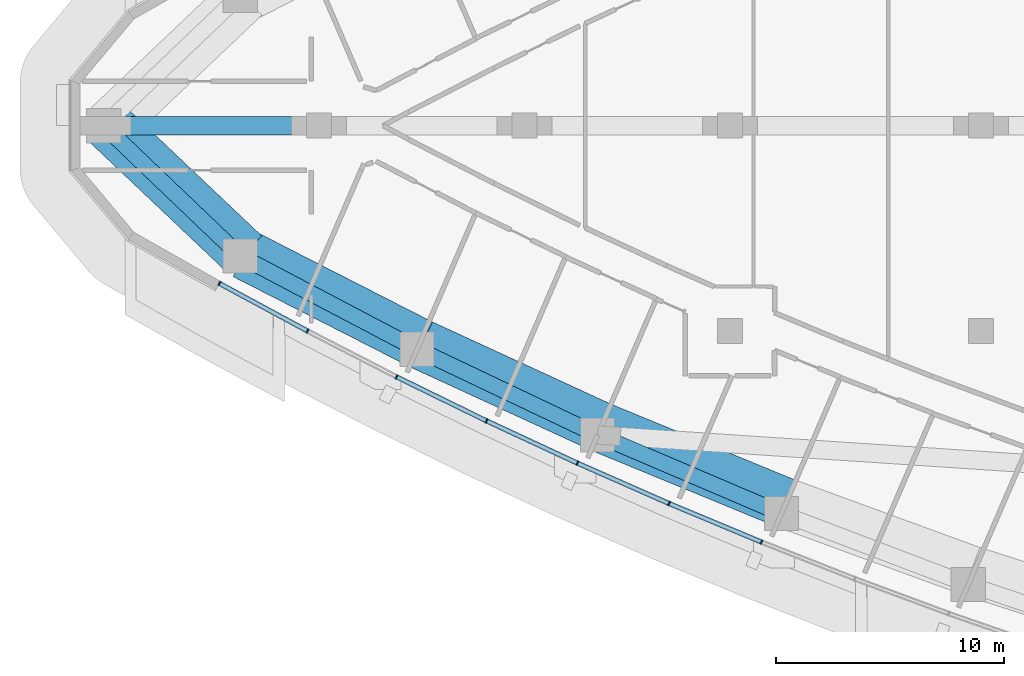
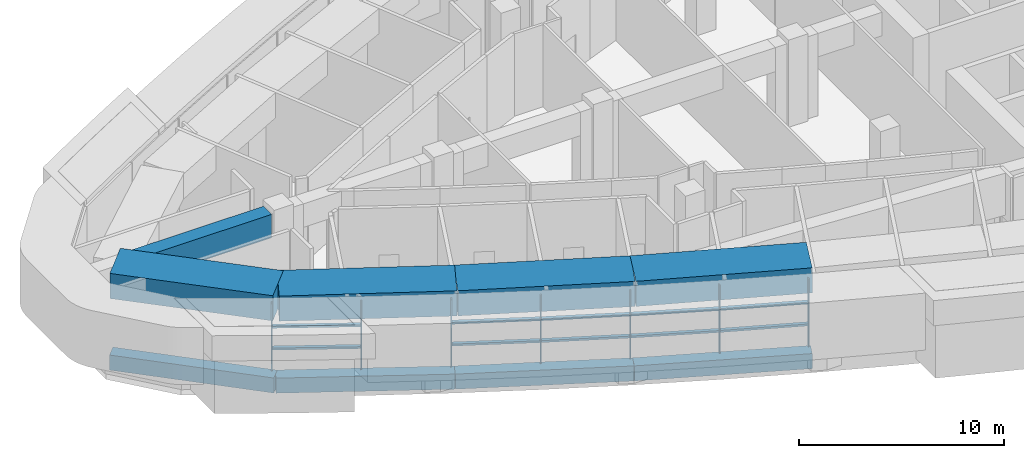
# One storey, part 2 of 18: 17 members, 9 beams, 3 elements without a shape of their own.
"""IFC4 building model written with IfcOpenShell, lengths in metres."""

from ifc_helpers import new_model, si_unit, direction, frame, origin, origin_2d, place, context, subcontext, project, spatial, rectangle, extrude, material, layer, layer_set, material_profile, profile_set, type_object, element, aggregate, save


model = new_model("IFC4")

# Units and contexts
model_context = context("Model", 3, precision=1e-05, world=origin(), true_north=direction((0.0, 1.0)))
body_context = subcontext(model_context, "Body", "Model", "MODEL_VIEW")
ifc_project = project(units=[si_unit("LENGTHUNIT", "METRE"), si_unit("AREAUNIT", "SQUARE_METRE"), si_unit("VOLUMEUNIT", "CUBIC_METRE"), si_unit("PLANEANGLEUNIT", "RADIAN"), si_unit("MASSUNIT", "GRAM", prefix="KILO")], contexts=[model_context])

# Site, building, storey
site_placement = place(None, origin())
site = spatial("IfcSite", under=ifc_project, at=site_placement, CompositionType="ELEMENT")
building_placement = place(site_placement, origin())
building = spatial("IfcBuilding", under=site, at=building_placement, Name="Ostrand Prow Hotel Tower", CompositionType="ELEMENT")
storey_placement = place(building_placement, frame((0.0, 0.0, 165.699951171875)))
storey = spatial("IfcBuildingStorey", under=building, at=storey_placement, Name="L41", CompositionType="ELEMENT", Elevation=165.699951171875)

# Beams
ifc_material_1 = material(Name="Concrete C70/85", Category="concrete")
ifc_material_profile_1 = material_profile(ifc_material_1, rectangle(XDim=2.199951171875, YDim=1.5, at=origin_2d()), Name="RC 2200x1500")
ifc_profile_set_1 = profile_set([ifc_material_profile_1], Name="Concrete C70/85")
beam_type_1 = type_object("IfcBeamType", Name="Belt girder 2200x1500 C70/85", PredefinedType="BEAM", material=ifc_profile_set_1)
beam_1_placement = place(storey_placement, frame((6.798583984375, 0.0, 4.150146484375), z_axis=(0.725803004047, -0.687902608889, 0.0), x_axis=(0.687902608889, 0.725803004047, 0.0)))
element("IfcBeam", 1, at=beam_1_placement, inside=storey, type_object=beam_type_1, Name="Belt girder P-S1", PredefinedType="BEAM", context=body_context, shape_type="SweptSolid", body=[
    extrude(rectangle(XDim=2.199951171875, YDim=1.5, at=origin_2d()), origin(), (0.0, 0.0, 1.0), 8.187255859375),
])
beam_2_placement = place(storey_placement, frame((12.740966796875, -5.632080078125, 4.150146484375), z_axis=(0.890726573441, -0.454539515737, 0.0), x_axis=(0.454539515737, 0.890726573441, 0.0)))
element("IfcBeam", 2, at=beam_2_placement, inside=storey, type_object=beam_type_1, Name="Belt girder S1-S2", PredefinedType="BEAM", context=body_context, shape_type="SweptSolid", body=[
    extrude(rectangle(XDim=2.199951171875, YDim=1.5, at=origin_2d()), origin(), (0.0, 0.0, 1.0), 8.686767578125),
])
beam_3_placement = place(storey_placement, frame((20.478515625, -9.58056640625, 4.150146484375), z_axis=(0.908400590307, -0.418100905918, 0.0), x_axis=(0.418100905918, 0.908400590307, 0.0)))
element("IfcBeam", 3, at=beam_3_placement, inside=storey, type_object=beam_type_1, Name="Belt girder S2-S3", PredefinedType="BEAM", context=body_context, shape_type="SweptSolid", body=[
    extrude(rectangle(XDim=2.199951171875, YDim=1.5, at=origin_2d()), origin(), (0.0, 0.0, 1.0), 8.68701171875),
])
beam_4_placement = place(storey_placement, frame((28.369873046875, -13.212646484375, 4.150146484375), z_axis=(0.92457736963, -0.380994340599, 0.0), x_axis=(0.380994340599, 0.92457736963, 0.0)))
element("IfcBeam", 4, at=beam_4_placement, inside=storey, type_object=beam_type_1, Name="Belt girder S3-S4", PredefinedType="BEAM", context=body_context, shape_type="SweptSolid", body=[
    extrude(rectangle(XDim=2.199951171875, YDim=1.5, at=origin_2d()), origin(), (0.0, 0.0, 1.0), 8.686767578125),
])
ifc_material_2 = material(Name="Concrete C70/85", Category="concrete")
ifc_material_profile_2 = material_profile(ifc_material_2, rectangle(XDim=0.699951171875, YDim=0.89990234375, at=origin_2d()), Name="RC 700x900")
ifc_profile_set_2 = profile_set([ifc_material_profile_2], Name="Concrete C70/85")
beam_type_2 = type_object("IfcBeamType", Name="Edge beam 700x900 C70/85", PredefinedType="SPANDREL", material=ifc_profile_set_2)
beam_5_placement = place(storey_placement, frame((6.580078125, 0.0, -0.849853515625), z_axis=(0.722689968521, -0.691172344209, 0.0), x_axis=(0.691172344209, 0.722689968521, 0.0)))
element("IfcBeam", 5, at=beam_5_placement, inside=storey, type_object=beam_type_2, Name="Edge beam P-S1", PredefinedType="SPANDREL", context=body_context, shape_type="SweptSolid", body=[
    extrude(rectangle(XDim=0.699951171875, YDim=0.89990234375, at=origin_2d()), origin(), (0.0, 0.0, 1.0), 8.26513671875),
])
for number, where, z_axis, x_axis, name in (
    (6, (12.55322265625, -5.712646484375, -0.849853515625), (0.885016215308, -0.465560198731, 0.0), (0.465560198731, 0.885016215308, 0.0), "Edge beam S1-S2"),
    (7, (20.300048828125, -9.787841796875, -0.849853515625), (0.903083113352, -0.429465819803, 0.0), (0.429465819803, 0.903083113352, 0.0), "Edge beam S2-S3"),
    (8, (28.205078125, -13.547119140625, -0.849853515625), (0.919700966994, -0.392619575811, 0.0), (0.392619575811, 0.919700966994, 0.0), "Edge beam S3-S4"),
):
    element("IfcBeam", number, at=place(storey_placement, frame(where, z_axis=z_axis, x_axis=x_axis)), inside=storey, type_object=beam_type_2, Name=name, PredefinedType="SPANDREL", context=body_context, shape_type="SweptSolid", body=[
        extrude(rectangle(XDim=0.699951171875, YDim=0.89990234375, at=origin_2d()), origin(), (0.0, 0.0, 1.0), 8.75341796875),
    ])

# Curtain wall, members
ifc_material_3 = material(Name="Insulated glass in bronze anodised frame", Category="glass")
ifc_layer = layer(ifc_material_3, 0.199951171875)
ifc_layer_set = layer_set([ifc_layer], Name="Insulated glass in bronze anodised frame")
curtain_wall_type = type_object("IfcCurtainWallType", Name="Plant storey louvre wall", PredefinedType="NOTDEFINED", material=ifc_layer_set)
curtain_wall_1_placement = place(storey_placement, origin())
curtain_wall_1 = element("IfcCurtainWall", 9, at=curtain_wall_1_placement, inside=storey, type_object=curtain_wall_type, Name="CW7 run CWS1", PredefinedType="NOTDEFINED")
ifc_material_4 = material(Name="Bronze anodised aluminium", Category="aluminium")
ifc_material_profile_3 = material_profile(ifc_material_4, rectangle(XDim=0.199951171875, YDim=0.06005859375, at=origin_2d()), Name="Mullion 60x200 bronze anodised aluminium")
ifc_profile_set_3 = profile_set([ifc_material_profile_3], Name="Bronze anodised aluminium")
member_type_1 = type_object("IfcMemberType", Name="Mullion 60x200 bronze anodised aluminium", PredefinedType="MULLION", material=ifc_profile_set_3)
member_1_placement = place(storey_placement, frame((11.64306640625, -6.909423828125, 0.900146484375), z_axis=(0.0, 0.0, 1.0), x_axis=(0.475393901316, 0.879773060847, 0.0)))
member_1 = element("IfcMember", 10, at=member_1_placement, type_object=member_type_1, Name="CW7 mullion 1", PredefinedType="MULLION", context=body_context, shape_type="SweptSolid", body=[
    extrude(rectangle(XDim=0.199951171875, YDim=0.06005859375, at=origin_2d()), origin(), (0.0, 0.0, 1.0), 4.0),
])
member_2_placement = place(storey_placement, frame((15.501708984375, -8.99462890625, 0.900146484375), z_axis=(0.0, 0.0, 1.0), x_axis=(0.457619429434, 0.889148164146, 0.0)))
member_2 = element("IfcMember", 11, at=member_2_placement, type_object=member_type_1, Name="CW7 mullion 2", PredefinedType="MULLION", context=body_context, shape_type="SweptSolid", body=[
    extrude(rectangle(XDim=0.199951171875, YDim=0.06005859375, at=origin_2d()), origin(), (0.0, 0.0, 1.0), 4.0),
])
member_3_placement = place(storey_placement, frame((19.401611328125, -11.001708984375, 0.900146484375), z_axis=(0.0, 0.0, 1.0), x_axis=(0.457619429434, 0.889148164146, 0.0)))
member_3 = element("IfcMember", 12, at=member_3_placement, type_object=member_type_1, Name="CW7 mullion 3", PredefinedType="MULLION", context=body_context, shape_type="SweptSolid", body=[
    extrude(rectangle(XDim=0.199951171875, YDim=0.06005859375, at=origin_2d()), origin(), (0.0, 0.0, 1.0), 4.0),
])

curtain_wall_2_placement = place(storey_placement, origin())
curtain_wall_2 = element("IfcCurtainWall", 13, at=curtain_wall_2_placement, inside=storey, type_object=curtain_wall_type, Name="CW7 run CWS2", PredefinedType="NOTDEFINED")
member_4_placement = place(storey_placement, frame((23.341064453125, -12.93017578125, 0.900146484375), z_axis=(0.0, 0.0, 1.0), x_axis=(0.421521761673, 0.906818286337, 0.0)))
member_4 = element("IfcMember", 14, at=member_4_placement, type_object=member_type_1, Name="CW7 mullion 2", PredefinedType="MULLION", context=body_context, shape_type="SweptSolid", body=[
    extrude(rectangle(XDim=0.199951171875, YDim=0.06005859375, at=origin_2d()), origin(), (0.0, 0.0, 1.0), 4.0),
])
member_5_placement = place(storey_placement, frame((27.318359375, -14.77880859375, 0.900146484375), z_axis=(0.0, 0.0, 1.0), x_axis=(0.421521761673, 0.906818286337, 0.0)))
member_5 = element("IfcMember", 15, at=member_5_placement, type_object=member_type_1, Name="CW7 mullion 3", PredefinedType="MULLION", context=body_context, shape_type="SweptSolid", body=[
    extrude(rectangle(XDim=0.199951171875, YDim=0.06005859375, at=origin_2d()), origin(), (0.0, 0.0, 1.0), 4.0),
])

curtain_wall_3_placement = place(storey_placement, origin())
curtain_wall_3 = element("IfcCurtainWall", 16, at=curtain_wall_3_placement, inside=storey, type_object=curtain_wall_type, Name="CW7 run CWS3", PredefinedType="NOTDEFINED")
member_6_placement = place(storey_placement, frame((31.332275390625, -16.54736328125, 0.900146484375), z_axis=(0.0, 0.0, 1.0), x_axis=(0.384743220418, 0.92302364777, 0.0)))
member_6 = element("IfcMember", 17, at=member_6_placement, type_object=member_type_1, Name="CW7 mullion 2", PredefinedType="MULLION", context=body_context, shape_type="SweptSolid", body=[
    extrude(rectangle(XDim=0.199951171875, YDim=0.06005859375, at=origin_2d()), origin(), (0.0, 0.0, 1.0), 4.0),
])
member_7_placement = place(storey_placement, frame((35.380615234375, -18.235107421875, 0.900146484375), z_axis=(0.0, 0.0, 1.0), x_axis=(0.384743220418, 0.92302364777, 0.0)))
member_7 = element("IfcMember", 18, at=member_7_placement, type_object=member_type_1, Name="CW7 mullion 3", PredefinedType="MULLION", context=body_context, shape_type="SweptSolid", body=[
    extrude(rectangle(XDim=0.199951171875, YDim=0.06005859375, at=origin_2d()), origin(), (0.0, 0.0, 1.0), 4.0),
])

# Beam
ifc_material_5 = material(Name="Concrete C70/85", Category="concrete")
ifc_material_profile_4 = material_profile(ifc_material_5, rectangle(XDim=0.800048828125, YDim=1.39990234375, at=origin_2d()), Name="RC 800x1400")
ifc_profile_set_4 = profile_set([ifc_material_profile_4], Name="Concrete C70/85")
beam_type_3 = type_object("IfcBeamType", Name="Outrigger lintel 800x1400 C70/85", PredefinedType="LINTEL", material=ifc_profile_set_4)
beam_6_placement = place(storey_placement, frame((7.18017578125, 0.0, 4.199951171875), z_axis=(1.0, 0.0, 0.0), x_axis=(0.0, 1.0, 0.0)))
element("IfcBeam", 19, at=beam_6_placement, inside=storey, type_object=beam_type_3, Name="Outrigger lintel A1", PredefinedType="LINTEL", context=body_context, shape_type="SweptSolid", body=[
    extrude(rectangle(XDim=0.800048828125, YDim=1.39990234375, at=origin_2d()), origin(), (0.0, 0.0, 1.0), 8.2197265625),
])

# Member
ifc_material_6 = material(Name="Bronze anodised aluminium", Category="aluminium")
ifc_material_profile_5 = material_profile(ifc_material_6, rectangle(XDim=0.199951171875, YDim=0.1201171875, at=origin_2d()), Name="Transom 120x200 bronze anodised aluminium")
ifc_profile_set_5 = profile_set([ifc_material_profile_5], Name="Bronze anodised aluminium")
member_type_2 = type_object("IfcMemberType", Name="Transom 120x200 bronze anodised aluminium", PredefinedType="USERDEFINED", material=ifc_profile_set_5)
member_8_placement = place(storey_placement, frame((11.66943359375, -6.923583984375, 2.199951171875), z_axis=(0.879765206929, -0.475408435639, 0.0), x_axis=(0.475408435639, 0.879765206929, 0.0)))
member_8 = element("IfcMember", 20, at=member_8_placement, type_object=member_type_2, Name="CW7 transom 1.1", ObjectType="TRANSOM", PredefinedType="USERDEFINED", context=body_context, shape_type="SweptSolid", body=[
    extrude(rectangle(XDim=0.199951171875, YDim=0.1201171875, at=origin_2d()), origin(), (0.0, 0.0, 1.0), 4.326171875),
])

member_9_placement = place(storey_placement, frame((11.66943359375, -6.923583984375, 3.5), z_axis=(0.879765206929, -0.475408435639, 0.0), x_axis=(0.475408435639, 0.879765206929, 0.0)))
member_9 = element("IfcMember", 21, at=member_9_placement, type_object=member_type_2, Name="CW7 transom 1.2", ObjectType="TRANSOM", PredefinedType="USERDEFINED", context=body_context, shape_type="SweptSolid", body=[
    extrude(rectangle(XDim=0.199951171875, YDim=0.1201171875, at=origin_2d()), origin(), (0.0, 0.0, 1.0), 4.326171875),
])

aggregate(curtain_wall_1, [member_1, member_2, member_3, member_8, member_9])

member_10_placement = place(storey_placement, frame((19.4287109375, -11.014892578125, 2.199951171875), z_axis=(0.89815413626, -0.439680733623, 0.0), x_axis=(0.439680733623, 0.89815413626, 0.0)))
member_10 = element("IfcMember", 22, at=member_10_placement, type_object=member_type_2, Name="CW7 transom 1.1", ObjectType="TRANSOM", PredefinedType="USERDEFINED", context=body_context, shape_type="SweptSolid", body=[
    extrude(rectangle(XDim=0.199951171875, YDim=0.1201171875, at=origin_2d()), origin(), (0.0, 0.0, 1.0), 4.326171875),
])

member_11_placement = place(storey_placement, frame((19.4287109375, -11.014892578125, 3.5), z_axis=(0.89815413626, -0.439680733623, 0.0), x_axis=(0.439680733623, 0.89815413626, 0.0)))
member_11 = element("IfcMember", 23, at=member_11_placement, type_object=member_type_2, Name="CW7 transom 1.2", ObjectType="TRANSOM", PredefinedType="USERDEFINED", context=body_context, shape_type="SweptSolid", body=[
    extrude(rectangle(XDim=0.199951171875, YDim=0.1201171875, at=origin_2d()), origin(), (0.0, 0.0, 1.0), 4.326171875),
])

member_12_placement = place(storey_placement, frame((23.368408203125, -12.942626953125, 2.199951171875), z_axis=(0.906796377468, -0.421568890944, 0.0), x_axis=(0.421568890944, 0.906796377468, 0.0)))
member_12 = element("IfcMember", 24, at=member_12_placement, type_object=member_type_2, Name="CW7 transom 2.1", ObjectType="TRANSOM", PredefinedType="USERDEFINED", context=body_context, shape_type="SweptSolid", body=[
    extrude(rectangle(XDim=0.199951171875, YDim=0.1201171875, at=origin_2d()), origin(), (0.0, 0.0, 1.0), 4.326171875),
])

member_13_placement = place(storey_placement, frame((23.368408203125, -12.942626953125, 3.5), z_axis=(0.906796377468, -0.421568890944, 0.0), x_axis=(0.421568890944, 0.906796377468, 0.0)))
member_13 = element("IfcMember", 25, at=member_13_placement, type_object=member_type_2, Name="CW7 transom 2.2", ObjectType="TRANSOM", PredefinedType="USERDEFINED", context=body_context, shape_type="SweptSolid", body=[
    extrude(rectangle(XDim=0.199951171875, YDim=0.1201171875, at=origin_2d()), origin(), (0.0, 0.0, 1.0), 4.326171875),
])

aggregate(curtain_wall_2, [member_4, member_5, member_10, member_11, member_12, member_13])

member_14_placement = place(storey_placement, frame((27.345947265625, -14.791015625, 2.199951171875), z_axis=(0.91509853977, -0.403230284715, 0.0), x_axis=(0.403230284715, 0.91509853977, 0.0)))
member_14 = element("IfcMember", 26, at=member_14_placement, type_object=member_type_2, Name="CW7 transom 1.1", ObjectType="TRANSOM", PredefinedType="USERDEFINED", context=body_context, shape_type="SweptSolid", body=[
    extrude(rectangle(XDim=0.199951171875, YDim=0.1201171875, at=origin_2d()), origin(), (0.0, 0.0, 1.0), 4.325927734375),
])

member_15_placement = place(storey_placement, frame((27.345947265625, -14.791015625, 3.5), z_axis=(0.91509853977, -0.403230284715, 0.0), x_axis=(0.403230284715, 0.91509853977, 0.0)))
member_15 = element("IfcMember", 27, at=member_15_placement, type_object=member_type_2, Name="CW7 transom 1.2", ObjectType="TRANSOM", PredefinedType="USERDEFINED", context=body_context, shape_type="SweptSolid", body=[
    extrude(rectangle(XDim=0.199951171875, YDim=0.1201171875, at=origin_2d()), origin(), (0.0, 0.0, 1.0), 4.325927734375),
])

member_16_placement = place(storey_placement, frame((31.35986328125, -16.55908203125, 2.199951171875), z_axis=(0.923028493412, -0.384731595206, 0.0), x_axis=(0.384731595206, 0.923028493412, 0.0)))
member_16 = element("IfcMember", 28, at=member_16_placement, type_object=member_type_2, Name="CW7 transom 2.1", ObjectType="TRANSOM", PredefinedType="USERDEFINED", context=body_context, shape_type="SweptSolid", body=[
    extrude(rectangle(XDim=0.199951171875, YDim=0.1201171875, at=origin_2d()), origin(), (0.0, 0.0, 1.0), 4.325927734375),
])

member_17_placement = place(storey_placement, frame((31.35986328125, -16.55908203125, 3.5), z_axis=(0.923028493412, -0.384731595206, 0.0), x_axis=(0.384731595206, 0.923028493412, 0.0)))
member_17 = element("IfcMember", 29, at=member_17_placement, type_object=member_type_2, Name="CW7 transom 2.2", ObjectType="TRANSOM", PredefinedType="USERDEFINED", context=body_context, shape_type="SweptSolid", body=[
    extrude(rectangle(XDim=0.199951171875, YDim=0.1201171875, at=origin_2d()), origin(), (0.0, 0.0, 1.0), 4.325927734375),
])

aggregate(curtain_wall_3, [member_6, member_7, member_14, member_15, member_16, member_17])

save(model, "model.ifc")
